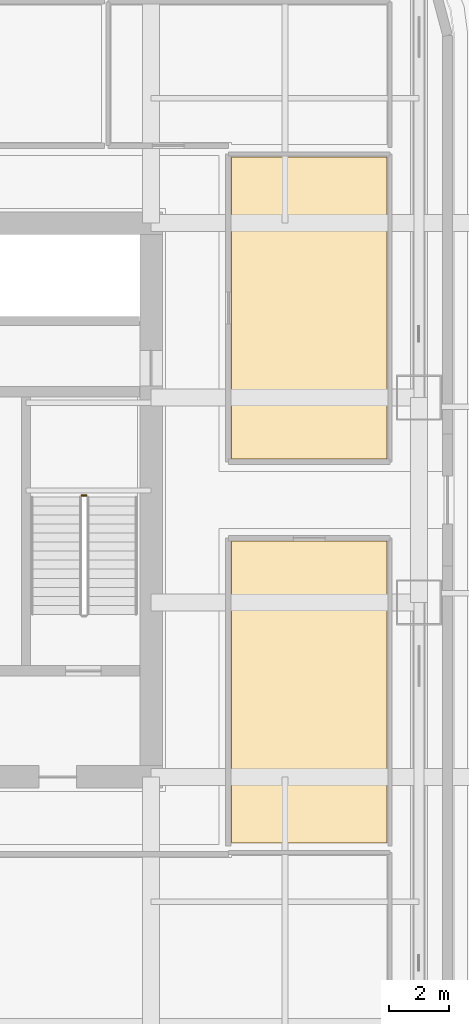
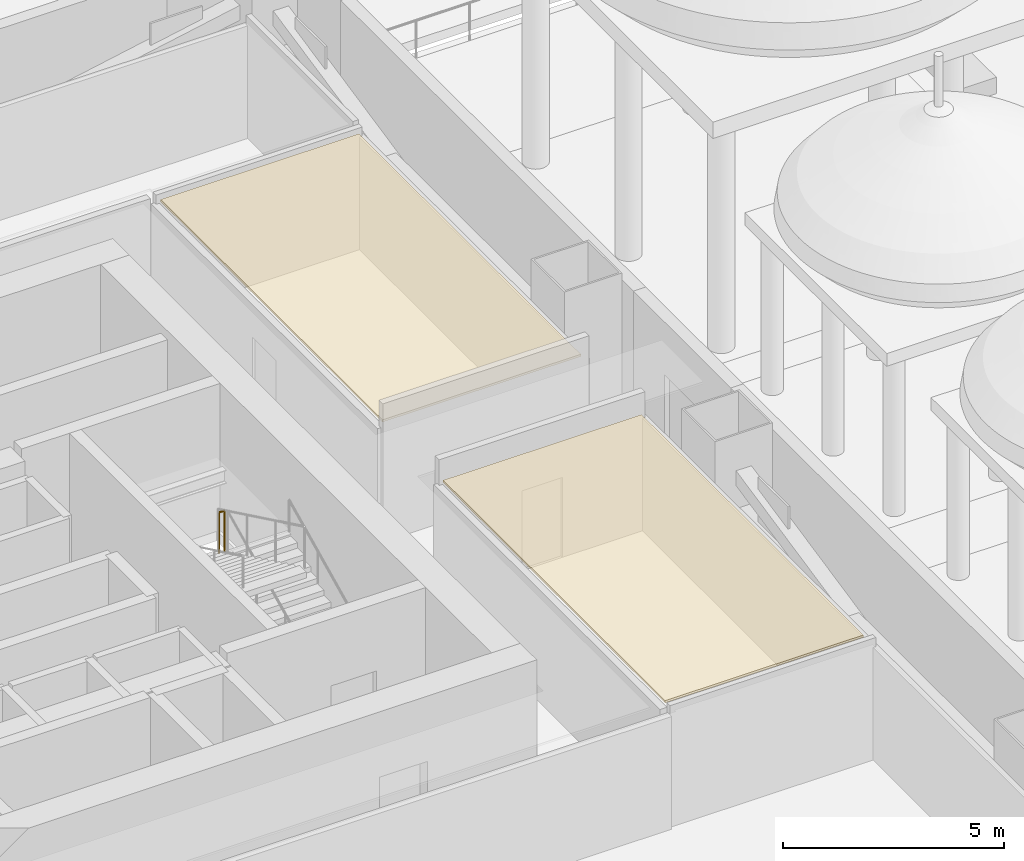
# One storey, part 26 of 30: 2 coverings, 1 railing.
"""IFC4 building model written with IfcOpenShell, lengths in metres."""

from ifc_helpers import new_model, si_unit, direction, frame, origin, origin_2d, place, context, subcontext, project, spatial, polyline, circle, outline, extrude, material, layer, layer_set, type_object, element, save


model = new_model("IFC4")

# Units and contexts
model_context = context("Model", 3, precision=1e-05, world=origin(), true_north=direction((0.0, 1.0)))
body_context = subcontext(model_context, "Body", "Model", "MODEL_VIEW")
ifc_project = project(units=[si_unit("LENGTHUNIT", "METRE"), si_unit("AREAUNIT", "SQUARE_METRE"), si_unit("VOLUMEUNIT", "CUBIC_METRE"), si_unit("PLANEANGLEUNIT", "RADIAN"), si_unit("MASSUNIT", "GRAM", prefix="KILO")], contexts=[model_context])

# Site, building, storey
site_placement = place(None, origin())
site = spatial("IfcSite", under=ifc_project, at=site_placement, CompositionType="ELEMENT")
building_placement = place(site_placement, origin())
building = spatial("IfcBuilding", under=site, at=building_placement, Name="Punatoya Terracotta Tower", CompositionType="ELEMENT")
storey_placement = place(building_placement, frame((0.0, 0.0, 28.199951171875)))
storey = spatial("IfcBuildingStorey", under=building, at=storey_placement, Name="L05", CompositionType="ELEMENT", Elevation=28.199951171875)

# Coverings
ifc_material_1 = material(Name="Acoustic Mineral Fibre Ceiling")
ifc_layer = layer(ifc_material_1, 0.06005859375)
ifc_layer_set = layer_set([ifc_layer], Name="Acoustic Mineral Fibre Ceiling")
covering_type = type_object("IfcCoveringType", Name="COV-CEIL-60", PredefinedType="CEILING", material=ifc_layer_set)
covering_1_placement = place(storey_placement, frame((0.0, 0.0, 3.16015625)))
element("IfcCovering", 1, at=covering_1_placement, inside=storey, type_object=covering_type, Name="L05 Analytical Practice Office Acoustic Ceiling", PredefinedType="CEILING", context=body_context, shape_type="SweptSolid", body=[
    extrude(outline(polyline([(12.8701171875, -1.3701171875), (12.8701171875, -11.389892578125), (18.0400390625, -11.389892578125), (18.0400390625, -1.3701171875), (12.8701171875, -1.3701171875)])), origin(), (0.0, 0.0, 1.0), 0.059814453125),
])
covering_2_placement = place(storey_placement, frame((0.0, 0.0, 3.16015625)))
element("IfcCovering", 2, at=covering_2_placement, inside=storey, type_object=covering_type, Name="L05 Digital Reference Library Acoustic Ceiling", PredefinedType="CEILING", context=body_context, shape_type="SweptSolid", body=[
    extrude(outline(polyline([(12.8701171875, 1.3701171875), (18.0400390625, 1.3701171875), (18.0400390625, 11.389892578125), (12.8701171875, 11.389892578125), (12.8701171875, 1.3701171875)])), origin(), (0.0, 0.0, 1.0), 0.059814453125),
])

# Railing
ifc_material_2 = material(Name="Steel S355", Category="steel")
railing_type = type_object("IfcRailingType", Name="RLG-GRD-1150", PredefinedType="GUARDRAIL", material=ifc_material_2)
railing_placement = place(storey_placement, frame((8.050048828125, 0.14990234375, 2.025146484375)))
element("IfcRailing", 3, at=railing_placement, inside=storey, type_object=railing_type, Name="L05 ST-2 stair guard 2", PredefinedType="GUARDRAIL", context=body_context, shape_type="SweptSolid", body=[
    extrude(circle(Radius=0.02392578125, at=origin_2d()), frame((0.0, 0.0, 1.1259765625), z_axis=(-1.0, 0.0, 0.0), x_axis=(0.0, -1.0, 0.0)), (0.0, 0.0, 1.0), 0.150146484375),
    extrude(circle(Radius=0.02099609375, at=origin_2d()), origin(), (0.0, 0.0, 1.0), 1.101806640625),
    extrude(circle(Radius=0.02099609375, at=origin_2d()), frame((-0.150146484375, 0.0, 0.0)), (0.0, 0.0, 1.0), 1.101806640625),
])

save(model, "model.ifc")
